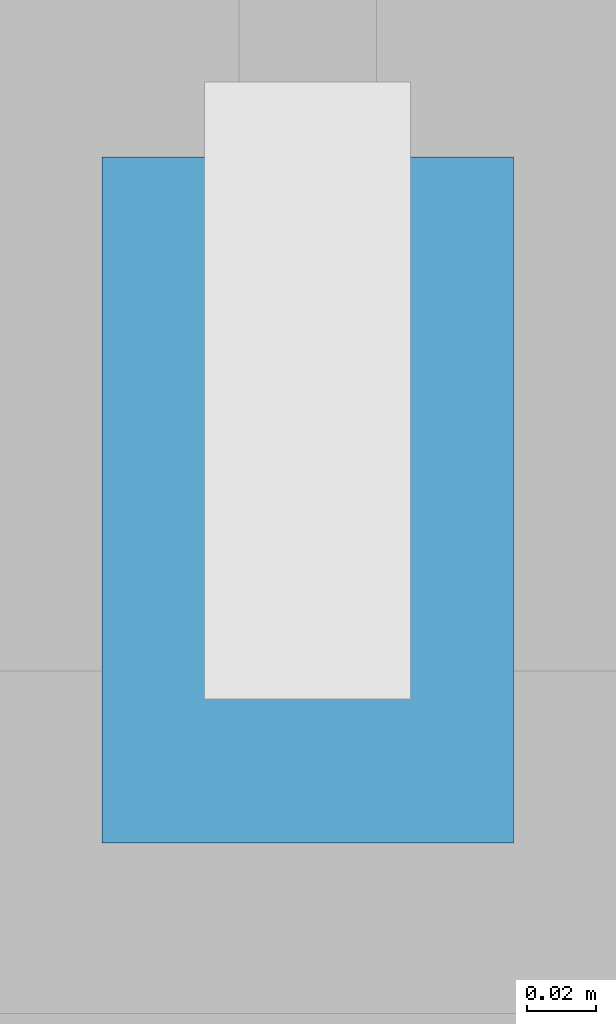
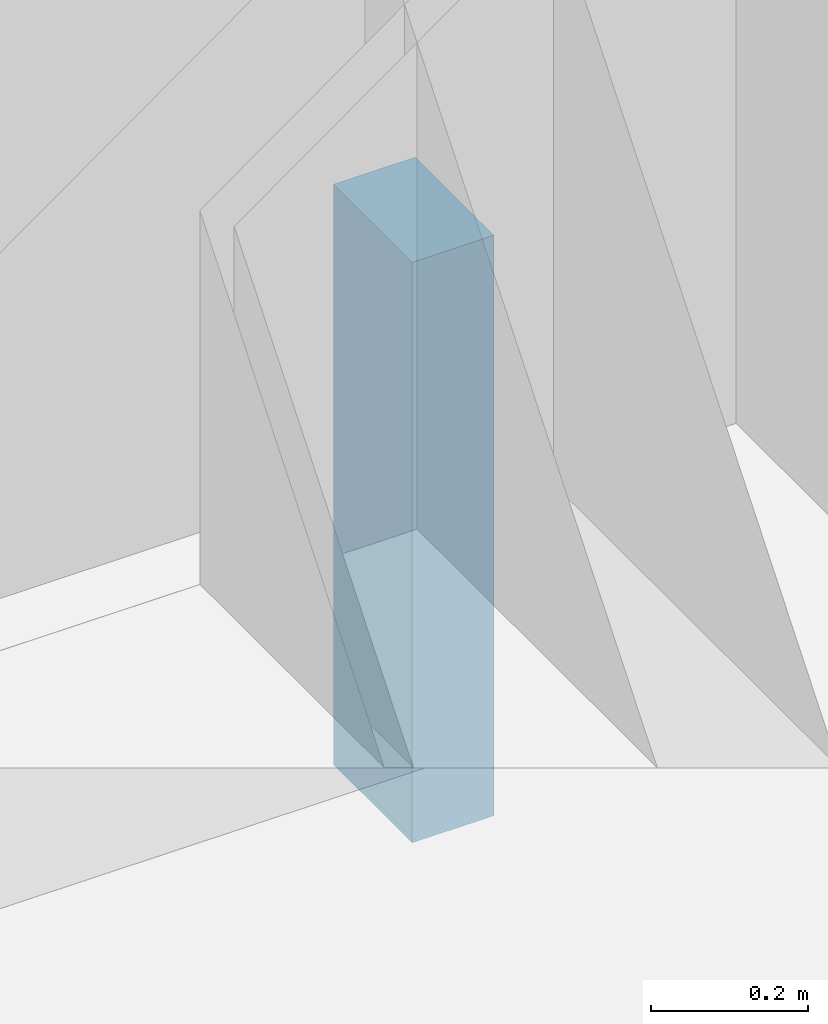
# One storey, part 11 of 34: 1 member, 1 element without a shape of its own.
"""IFC4 building model written with IfcOpenShell, lengths in metres."""

import ifcopenshell
import ifcopenshell.guid

model = None  # the IFC model being written
_history = None  # IfcOwnerHistory: only IFC2X3 demands one
_inside = {}  # id of a spatial element -> (the spatial element, [elements in it])
_under = {}  # id of a project, library or spatial element -> (it, [spatial elements below it])
_declared = {}  # id of a project -> (the project, [libraries it declares])
_typed = {}  # id of a type object -> (the type object, [elements of that type])
_made_of = {}  # id of a material, layer set ... -> (it, [elements and type objects made of it])


def new_model(schema):
    """Start an empty IFC model of exactly this schema.

    Asked for "IFC4X3", IfcOpenShell would pick the latest addendum, in which some entities
    have other attributes; the version numbers below select the first issue.
    IFC2X3 requires an IfcOwnerHistory on every rooted entity: one is made here for all.
    """
    global model, _history
    if schema == "IFC4X3":
        model = ifcopenshell.file(schema_version=(4, 3, 0, 0))
    else:
        model = ifcopenshell.file(schema=schema)
    _inside.clear()
    _under.clear()
    _declared.clear()
    _typed.clear()
    _made_of.clear()
    _history = None
    if model.schema == "IFC2X3":
        org = make("IfcOrganization", Name="unknown")
        user = make(
            "IfcPersonAndOrganization",
            ThePerson=make("IfcPerson", FamilyName="unknown"),
            TheOrganization=org,
        )
        app = make(
            "IfcApplication",
            ApplicationDeveloper=org,
            Version="unknown",
            ApplicationFullName="unknown",
            ApplicationIdentifier="unknown",
        )
        _history = make(
            "IfcOwnerHistory",
            OwningUser=user,
            OwningApplication=app,
            ChangeAction="ADDED",
            CreationDate=0,
        )
    return model


def make(cls, **values):
    """One entity of the class cls with the attributes given. An attribute that is None is left unset."""
    return model.create_entity(
        cls, **{name: value for name, value in values.items() if value is not None}
    )


def rooted(cls, **values):
    """An entity with a GlobalId (a new one), such as an element, a storey or a relation."""
    return make(cls, GlobalId=ifcopenshell.guid.new(), OwnerHistory=_history, **values)


def si_unit(unit_type, name, prefix=None):
    """IfcSIUnit, for example si_unit("LENGTHUNIT", "METRE", prefix="MILLI")."""
    return make("IfcSIUnit", UnitType=unit_type, Prefix=prefix, Name=name)


def assignment(units):
    """IfcUnitAssignment: the units of a project."""
    return None if units is None else make("IfcUnitAssignment", Units=units)


def point(xyz):
    """IfcCartesianPoint."""
    return None if xyz is None else make("IfcCartesianPoint", Coordinates=xyz)


def direction(xyz):
    """IfcDirection."""
    return None if xyz is None else make("IfcDirection", DirectionRatios=xyz)


def frame(location, z_axis=None, x_axis=None):
    """IfcAxis2Placement3D, a coordinate frame: its origin and axes. An axis left out is left unset."""
    return make(
        "IfcAxis2Placement3D",
        Location=point(location),
        Axis=direction(z_axis),
        RefDirection=direction(x_axis),
    )


def frame_2d(location, x_axis=None):
    """IfcAxis2Placement2D, a coordinate frame in the plane: its origin and x axis."""
    return make(
        "IfcAxis2Placement2D", Location=point(location), RefDirection=direction(x_axis)
    )


def origin():
    """The frame at (0, 0, 0) with its axes left unset."""
    return frame((0.0, 0.0, 0.0))


def origin_2d():
    """The frame at (0, 0) in the plane with its x axis left unset."""
    return frame_2d((0.0, 0.0))


def place(relative_to, where):
    """IfcLocalPlacement: puts the frame where relative to a parent placement (None: the world)."""
    return make(
        "IfcLocalPlacement", PlacementRelTo=relative_to, RelativePlacement=where
    )


def context(
    kind, dimensions, precision=None, world=None, true_north=None, identifier=None
):
    """IfcGeometricRepresentationContext, for example the 3D "Model" context."""
    return make(
        "IfcGeometricRepresentationContext",
        ContextIdentifier=identifier,
        ContextType=kind,
        CoordinateSpaceDimension=dimensions,
        Precision=precision,
        WorldCoordinateSystem=world,
        TrueNorth=true_north,
    )


def subcontext(parent, identifier, kind, view, scale=None):
    """IfcGeometricRepresentationSubContext, for example "Body" below "Model"."""
    return make(
        "IfcGeometricRepresentationSubContext",
        ContextIdentifier=identifier,
        ContextType=kind,
        ParentContext=parent,
        TargetScale=scale,
        TargetView=view,
    )


def project(units=None, contexts=None):
    """IfcProject with its units and contexts."""
    return rooted(
        "IfcProject",
        Name="project",
        RepresentationContexts=contexts,
        UnitsInContext=assignment(units),
    )


def spatial(cls, under=None, at=None, **own):
    """A site, building, storey or space (cls), placed at a placement, below another one or the project."""
    s = rooted(cls, ObjectPlacement=at, **own)
    if under is not None:
        _under.setdefault(under.id(), (under, []))[1].append(s)
    return s


def profile(cls, at=None, kind="AREA", **sizes):
    """A parametric profile (cls). Its sizes go by their IFC names, for example OverallWidth=200.0."""
    return make(cls, ProfileType=kind, Position=at, **sizes)


def rectangle(**sizes):
    """IfcRectangleProfileDef."""
    return profile("IfcRectangleProfileDef", **sizes)


def extrude(swept, where, along, depth):
    """IfcExtrudedAreaSolid: the profile swept, set in the frame where, extruded along a direction by depth."""
    return make(
        "IfcExtrudedAreaSolid",
        SweptArea=swept,
        Position=where,
        ExtrudedDirection=direction(along),
        Depth=depth,
    )


def shape(context_of_items, identifier, shape_type, items):
    """IfcShapeRepresentation: the items that make up one representation, for example the "Body"."""
    return make(
        "IfcShapeRepresentation",
        ContextOfItems=context_of_items,
        RepresentationIdentifier=identifier,
        RepresentationType=shape_type,
        Items=items,
    )


def material(Name=None, Category=None):
    """IfcMaterial."""
    return make("IfcMaterial", Name=Name, Category=Category)


def layer(
    of_material, thickness, ventilated=None, Name=None, Category=None, Priority=None
):
    """IfcMaterialLayer: one layer of a wall or slab, of a material (None: an air gap)."""
    return make(
        "IfcMaterialLayer",
        Material=of_material,
        LayerThickness=thickness,
        IsVentilated=ventilated,
        Name=Name,
        Category=Category,
        Priority=Priority,
    )


def layer_set(layers, Name=None):
    """IfcMaterialLayerSet."""
    return make("IfcMaterialLayerSet", MaterialLayers=layers, LayerSetName=Name)


def material_profile(
    of_material, cross_section, Name=None, Category=None, Priority=None
):
    """IfcMaterialProfile: a cross section and its material."""
    return make(
        "IfcMaterialProfile",
        Name=Name,
        Material=of_material,
        Profile=cross_section,
        Priority=Priority,
        Category=Category,
    )


def profile_set(profiles, Name=None, composite=None):
    """IfcMaterialProfileSet."""
    return make(
        "IfcMaterialProfileSet",
        Name=Name,
        MaterialProfiles=profiles,
        CompositeProfile=composite,
    )


def made_of(thing, what):
    """Note that an element or type object is made of a material, layer set ...; save() writes the relation."""
    if what is not None:
        _made_of.setdefault(what.id(), (what, []))[1].append(thing)
    return thing


def type_object(cls, material=None, **own):
    """A type object (cls), such as IfcWallType, which elements share."""
    return made_of(rooted(cls, **own), material)


def element(
    cls,
    number,
    at=None,
    inside=None,
    cuts=None,
    type_object=None,
    material=None,
    context=None,
    identifier="Body",
    shape_type=None,
    held_by="IfcProductDefinitionShape",
    body=None,
    shapes=None,
    **own,
):
    """One element of the class cls, such as IfcWall. Its Tag is "e" and its number.

    at: its placement. inside: the storey or other place that contains it. cuts: it is an
    opening in that element (IfcRelVoidsElement). A single representation is given by context,
    identifier, shape_type and body (its items); several are given by shapes. held_by: the class
    of the entity that holds the representations. save() writes the other relations.
    """
    e = rooted(cls, Tag="e%d" % number, ObjectPlacement=at, **own)
    if body is not None:
        shapes = [shape(context, identifier, shape_type, body)]
    if shapes is not None:
        e.Representation = make(held_by, Representations=shapes)
    if inside is not None:
        _inside.setdefault(inside.id(), (inside, []))[1].append(e)
    if cuts is not None:
        rooted(
            "IfcRelVoidsElement", RelatingBuildingElement=cuts, RelatedOpeningElement=e
        )
    if type_object is not None:
        _typed.setdefault(type_object.id(), (type_object, []))[1].append(e)
    return made_of(e, material)


def aggregate(whole, parts):
    """IfcRelAggregates: a whole, such as a stair, and the parts it consists of."""
    return rooted("IfcRelAggregates", RelatingObject=whole, RelatedObjects=parts)


def save(model, path):
    """Write the relations noted so far, then the file.

    IfcRelAggregates (storeys below a building ...), IfcRelContainedInSpatialStructure (elements
    in a storey), IfcRelDefinesByType, IfcRelAssociatesMaterial and IfcRelDeclares: one each for
    every whole, place, type object, material and project.
    """
    for whole, parts in _under.values():
        aggregate(whole, parts)
    for where, things in _inside.values():
        rooted(
            "IfcRelContainedInSpatialStructure",
            RelatedElements=things,
            RelatingStructure=where,
        )
    for kind, things in _typed.values():
        rooted("IfcRelDefinesByType", RelatedObjects=things, RelatingType=kind)
    for what, things in _made_of.values():
        rooted("IfcRelAssociatesMaterial", RelatedObjects=things, RelatingMaterial=what)
    for by, libraries in _declared.values():
        rooted("IfcRelDeclares", RelatingContext=by, RelatedDefinitions=libraries)
    model.write(path)


model = new_model("IFC4")

# Units and contexts
model_context = context("Model", 3, precision=1e-05, world=origin(), true_north=direction((0.0, 1.0)))
body_context = subcontext(model_context, "Body", "Model", "MODEL_VIEW")
ifc_project = project(units=[si_unit("LENGTHUNIT", "METRE"), si_unit("AREAUNIT", "SQUARE_METRE"), si_unit("VOLUMEUNIT", "CUBIC_METRE"), si_unit("PLANEANGLEUNIT", "RADIAN"), si_unit("MASSUNIT", "GRAM", prefix="KILO")], contexts=[model_context])

# Site, building, storey
site_placement = place(None, origin())
site = spatial("IfcSite", under=ifc_project, at=site_placement, CompositionType="ELEMENT")
building_placement = place(site_placement, origin())
building = spatial("IfcBuilding", under=site, at=building_placement, Name="Hakoniwa Tower and Hamabe Station Hall", CompositionType="ELEMENT")
storey_placement = place(building_placement, frame((0.0, 0.0, 94.60009765625)))
storey = spatial("IfcBuildingStorey", under=building, at=storey_placement, Name="L26", CompositionType="ELEMENT", Elevation=94.60009765625)

# Curtain wall, member
ifc_material_1 = material(Name="Dark low-e laminated glass", Category="glass")
ifc_layer = layer(ifc_material_1, 0.199951171875)
ifc_layer_set = layer_set([ifc_layer], Name="CW-1 UNITISED GUEST")
curtain_wall_type = type_object("IfcCurtainWallType", Name="CW-1 UNITISED GUEST", PredefinedType="NOTDEFINED", material=ifc_layer_set)
curtain_wall_placement = place(storey_placement, origin())
curtain_wall = element("IfcCurtainWall", 1, at=curtain_wall_placement, inside=storey, type_object=curtain_wall_type, Name="CW-1 curtain wall", PredefinedType="NOTDEFINED")
ifc_material_2 = material(Name="Aluminium 6063-T5 black anodised", Category="aluminium")
ifc_material_profile = material_profile(ifc_material_2, rectangle(XDim=0.199951171875, YDim=0.89990234375, at=origin_2d()), Name="CW SLAB-EDGE BAND 900X200")
ifc_profile_set = profile_set([ifc_material_profile], Name="Aluminium 6063-T5 black anodised")
member_type = type_object("IfcMemberType", Name="CW SLAB-EDGE BAND 900X200", PredefinedType="USERDEFINED", material=ifc_profile_set)
member_placement = place(storey_placement, frame((8.4599609375, 23.39990234375, -0.10009765625), z_axis=(-1.0, 0.0, 0.0), x_axis=(0.0, -1.0, 0.0)))
member = element("IfcMember", 2, at=member_placement, type_object=member_type, Name="CW-1 transom", ObjectType="TRANSOM", PredefinedType="USERDEFINED", context=body_context, shape_type="SweptSolid", body=[
    extrude(rectangle(XDim=0.199951171875, YDim=0.89990234375, at=origin_2d()), origin(), (0.0, 0.0, 1.0), 0.119873046875),
])
aggregate(curtain_wall, [member])

save(model, "model.ifc")
